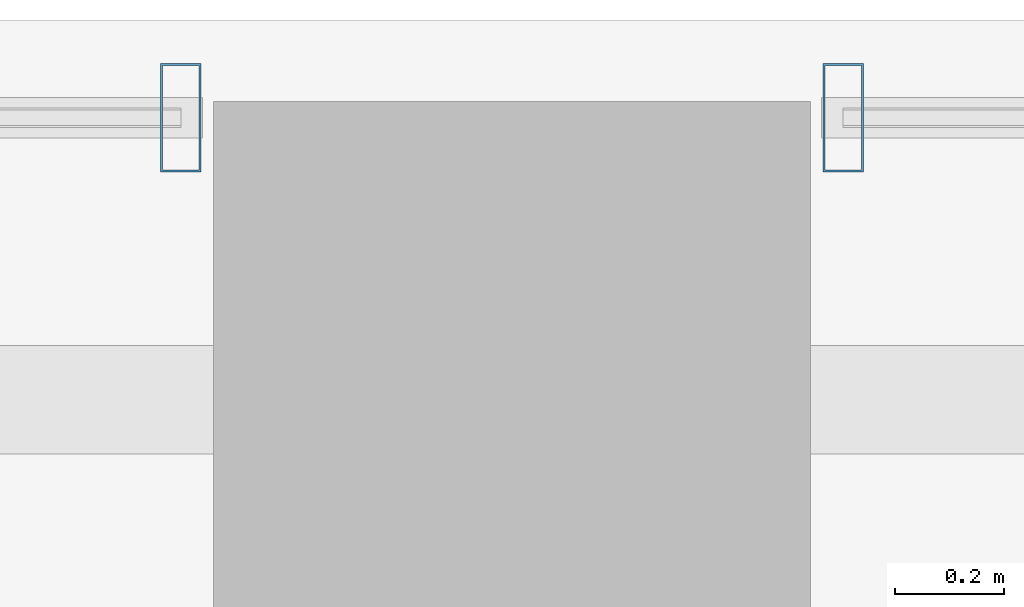
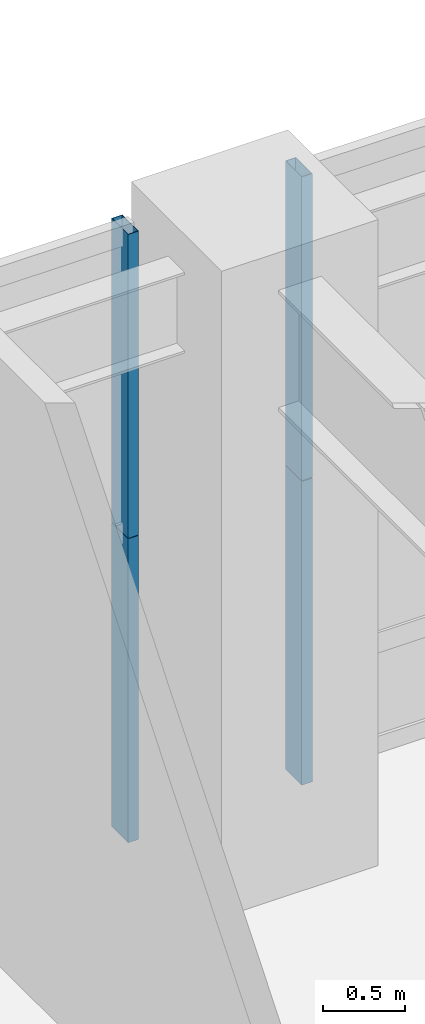
# One storey, part 23 of 38: 4 members, 2 elements without a shape of their own.
"""IFC4 building model written with IfcOpenShell, lengths in metres."""

from ifc_helpers import new_model, si_unit, direction, frame, origin, origin_2d, place, context, subcontext, project, spatial, hollow_rectangle, extrude, source, transform, mapped, material, layer, layer_set, material_profile, profile_set, type_object, element, aggregate, save


model = new_model("IFC4")

# Units and contexts
model_context = context("Model", 3, precision=1e-05, world=origin(), true_north=direction((0.0, 1.0)))
body_context = subcontext(model_context, "Body", "Model", "MODEL_VIEW")
ifc_project = project(units=[si_unit("LENGTHUNIT", "METRE"), si_unit("AREAUNIT", "SQUARE_METRE"), si_unit("VOLUMEUNIT", "CUBIC_METRE"), si_unit("PLANEANGLEUNIT", "RADIAN"), si_unit("MASSUNIT", "GRAM", prefix="KILO"), si_unit("THERMODYNAMICTEMPERATUREUNIT", "KELVIN"), si_unit("POWERUNIT", "WATT")], contexts=[model_context])

# Site, building, storey
site_placement = place(None, origin())
site = spatial("IfcSite", under=ifc_project, at=site_placement, CompositionType="ELEMENT")
building_placement = place(site_placement, origin())
building = spatial("IfcBuilding", under=site, at=building_placement, Name="Yuzanri Waterfront Tower", CompositionType="ELEMENT")
storey_placement = place(building_placement, frame((0.0, 0.0, 10.199951171875)))
storey = spatial("IfcBuildingStorey", under=building, at=storey_placement, Name="L03", CompositionType="ELEMENT", Elevation=10.199951171875)

# Curtain wall, members
ifc_material_1 = material(Name="Anodized Architectural Bronze", Category="metal")
ifc_layer = layer(ifc_material_1, 0.159912109375)
ifc_layer_set = layer_set([ifc_layer], Name="Anodized Architectural Bronze")
curtain_wall_type = type_object("IfcCurtainWallType", Name="Anodized Bronze Podium Waterfront Double-Height Unitized Curtain Wall 8400", PredefinedType="NOTDEFINED", material=ifc_layer_set)
curtain_wall_1_placement = place(storey_placement, origin())
curtain_wall_1 = element("IfcCurtainWall", 1, at=curtain_wall_1_placement, inside=storey, type_object=curtain_wall_type, Name="L03 Curtain Wall CW-L03-N1", PredefinedType="NOTDEFINED")
ifc_material_2 = material(Name="Anodized Architectural Bronze", Category="metal")
ifc_material_profile = material_profile(ifc_material_2, hollow_rectangle(XDim=0.074951171875, YDim=0.199951171875, WallThickness=0.00390625, at=origin_2d()), Name="CWM 75x200")
ifc_profile_set = profile_set([ifc_material_profile], Name="Anodized Architectural Bronze")
member_type = type_object("IfcMemberType", Name="Anodized Bronze Primary Curtain-Wall Mullion 75x200", PredefinedType="MULLION", material=ifc_profile_set)
shared_shape = source(origin(), body_context, "Body", "SweptSolid", [
    extrude(hollow_rectangle(XDim=0.074951171875, YDim=0.199951171875, WallThickness=0.00390625, at=origin_2d()), origin(), (0.0, 0.0, 1.0), 2.258056640625),
])
member_1_placement = place(storey_placement, frame((36.389892578125, 49.6201171875, 0.0), z_axis=(0.0, 0.0, 1.0), x_axis=(1.0, 0.0, 0.0)))
member_1 = element("IfcMember", 2, at=member_1_placement, type_object=member_type, Name="CW-L03-N1 Lower Mullion 02", PredefinedType="MULLION", context=body_context, shape_type="MappedRepresentation", body=[
    mapped(shared_shape, transform((0.0, 0.0, 0.0), scale=1.0)),
])
member_2_placement = place(storey_placement, frame((36.389892578125, 49.6201171875, 2.261962890625), z_axis=(0.0, 0.0, 1.0), x_axis=(1.0, 0.0, 0.0)))
member_2 = element("IfcMember", 3, at=member_2_placement, type_object=member_type, Name="CW-L03-N1 Upper Mullion 02", PredefinedType="MULLION", context=body_context, shape_type="MappedRepresentation", body=[
    mapped(shared_shape, transform((0.0, 0.0, 0.0), scale=1.0)),
])
aggregate(curtain_wall_1, [member_1, member_2])

curtain_wall_2_placement = place(storey_placement, origin())
curtain_wall_2 = element("IfcCurtainWall", 4, at=curtain_wall_2_placement, inside=storey, type_object=curtain_wall_type, Name="L03 Curtain Wall CW-L03-N2", PredefinedType="NOTDEFINED")
member_3_placement = place(storey_placement, frame((37.610107421875, 49.6201171875, 0.0), z_axis=(0.0, 0.0, 1.0), x_axis=(1.0, 0.0, 0.0)))
member_3 = element("IfcMember", 5, at=member_3_placement, type_object=member_type, Name="CW-L03-N2 Lower Mullion 00", PredefinedType="MULLION", context=body_context, shape_type="MappedRepresentation", body=[
    mapped(shared_shape, transform((0.0, 0.0, 0.0), scale=1.0)),
])
member_4_placement = place(storey_placement, frame((37.610107421875, 49.6201171875, 2.261962890625), z_axis=(0.0, 0.0, 1.0), x_axis=(1.0, 0.0, 0.0)))
member_4 = element("IfcMember", 6, at=member_4_placement, type_object=member_type, Name="CW-L03-N2 Upper Mullion 00", PredefinedType="MULLION", context=body_context, shape_type="MappedRepresentation", body=[
    mapped(shared_shape, transform((0.0, 0.0, 0.0), scale=1.0)),
])
aggregate(curtain_wall_2, [member_3, member_4])

save(model, "model.ifc")
